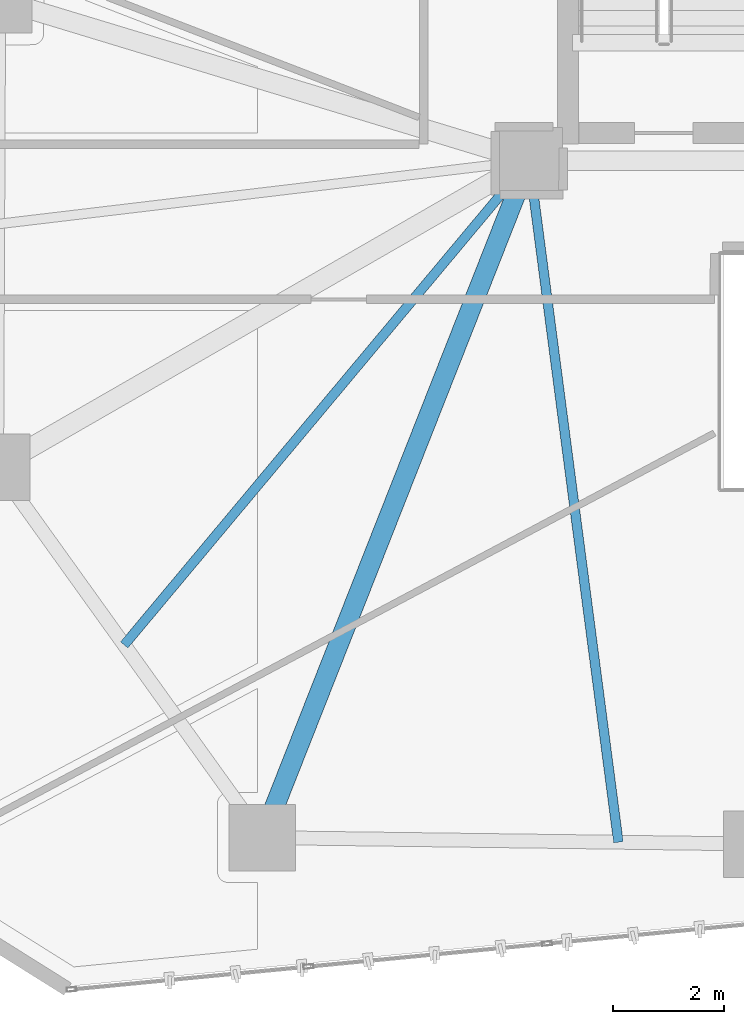
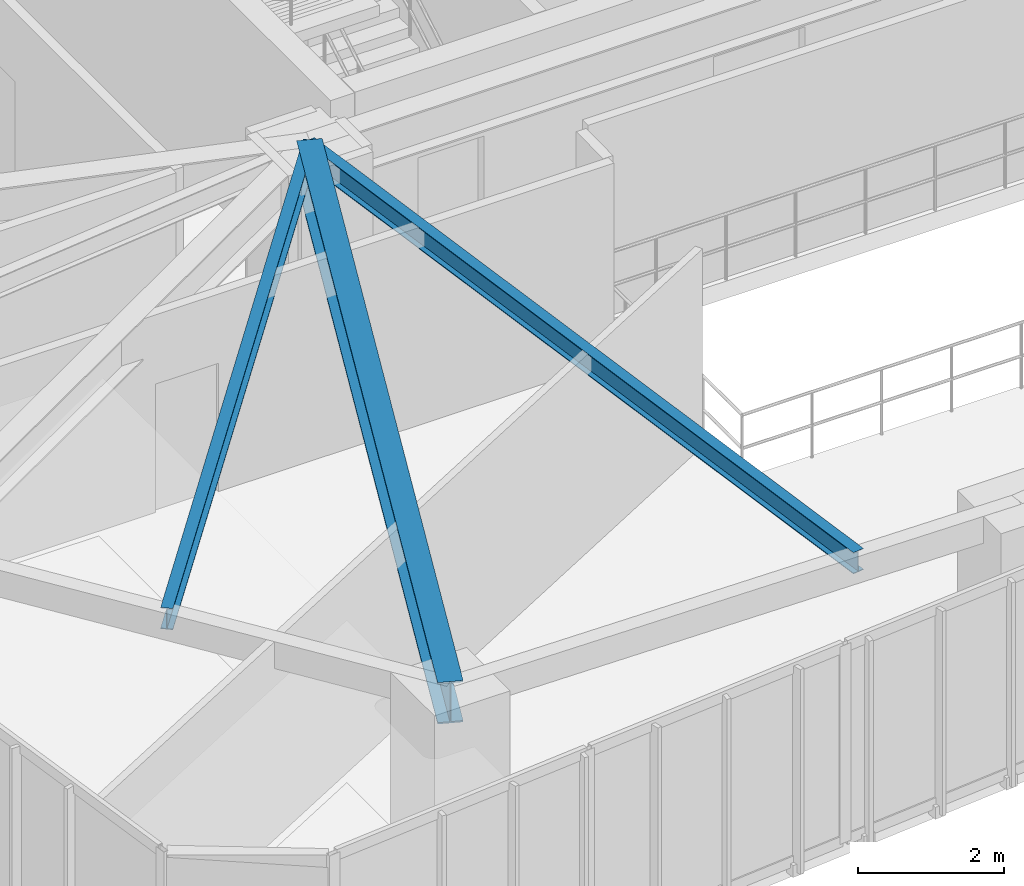
# One storey, part 5 of 22: 3 beams.
"""IFC4 building model written with IfcOpenShell, lengths in metres."""

from ifc_helpers import new_model, si_unit, direction, frame, origin, origin_2d, place, context, subcontext, project, spatial, i_section, extrude, material, material_profile, profile_set, type_object, element, save


model = new_model("IFC4")

# Units and contexts
model_context = context("Model", 3, precision=1e-05, world=origin(), true_north=direction((0.0, 1.0)))
body_context = subcontext(model_context, "Body", "Model", "MODEL_VIEW")
ifc_project = project(units=[si_unit("LENGTHUNIT", "METRE"), si_unit("AREAUNIT", "SQUARE_METRE"), si_unit("VOLUMEUNIT", "CUBIC_METRE"), si_unit("PLANEANGLEUNIT", "RADIAN"), si_unit("MASSUNIT", "GRAM", prefix="KILO")], contexts=[model_context])

# Site, building, storey
site_placement = place(None, origin())
site = spatial("IfcSite", under=ifc_project, at=site_placement, CompositionType="ELEMENT")
building_placement = place(site_placement, origin())
building = spatial("IfcBuilding", under=site, at=building_placement, Name="Talar Marvaseh", CompositionType="ELEMENT")
storey_placement = place(building_placement, frame((0.0, 0.0, 107.39990234375)))
storey = spatial("IfcBuildingStorey", under=building, at=storey_placement, Name="L27", CompositionType="ELEMENT", Elevation=107.39990234375)

# Beams
ifc_material = material(Name="Steel S355", Category="steel")
ifc_material_profile_1 = material_profile(ifc_material, i_section(OverallWidth=0.35498046875, OverallDepth=0.695068359375, WebThickness=0.015380859375, FlangeThickness=0.02490234375, at=origin_2d()), Name="W690x217")
ifc_profile_set_1 = profile_set([ifc_material_profile_1], Name="Steel S355")
beam_type_1 = type_object("IfcBeamType", Name="Zone 2 Radial Floor Girder W690x217", PredefinedType="BEAM", material=ifc_profile_set_1)
beam_1_placement = place(storey_placement, frame((13.89111328125, 13.299072265625, 2.962646484375), z_axis=(0.366683712786, 0.930345664136, 0.0), x_axis=(-0.930345664136, 0.366683712786, 0.0)))
element("IfcBeam", 1, at=beam_1_placement, inside=storey, type_object=beam_type_1, Name="L27 Zone 2 Radial Floor Girder W690x217", PredefinedType="BEAM", context=body_context, shape_type="SweptSolid", body=[
    extrude(i_section(OverallWidth=0.35498046875, OverallDepth=0.695068359375, WebThickness=0.015380859375, FlangeThickness=0.02490234375, at=origin_2d()), origin(), (0.0, 0.0, 1.0), 13.114501953125),
])
ifc_material_profile_2 = material_profile(ifc_material, i_section(OverallWidth=0.172119140625, OverallDepth=0.35791015625, WebThickness=0.0078125, FlangeThickness=0.01318359375, at=origin_2d()), Name="W360x57")
ifc_profile_set_2 = profile_set([ifc_material_profile_2], Name="Steel S355")
beam_type_2 = type_object("IfcBeamType", Name="Zone 2 Secondary Floor Joist W360x57", PredefinedType="JOIST", material=ifc_profile_set_2)
beam_2_placement = place(storey_placement, frame((20.30908203125, 13.215576171875, 3.131103515625), z_axis=(-0.129880008292, 0.991529718892, 0.0), x_axis=(-0.991529718892, -0.129880008292, 0.0)))
element("IfcBeam", 2, at=beam_2_placement, inside=storey, type_object=beam_type_2, Name="L27 Zone 2 Secondary Floor Joist W360x57", PredefinedType="JOIST", context=body_context, shape_type="SweptSolid", body=[
    extrude(i_section(OverallWidth=0.172119140625, OverallDepth=0.35791015625, WebThickness=0.0078125, FlangeThickness=0.01318359375, at=origin_2d()), origin(), (0.0, 0.0, 1.0), 12.389404296875),
])
beam_3_placement = place(storey_placement, frame((11.400146484375, 16.771484375, 3.131103515625), z_axis=(0.641534082313, 0.767094532135, 0.0), x_axis=(-0.767094532135, 0.641534082313, 0.0)))
element("IfcBeam", 3, at=beam_3_placement, inside=storey, type_object=beam_type_2, Name="L27 Zone 2 Secondary Floor Joist W360x57", PredefinedType="JOIST", context=body_context, shape_type="SweptSolid", body=[
    extrude(i_section(OverallWidth=0.172119140625, OverallDepth=0.35791015625, WebThickness=0.0078125, FlangeThickness=0.01318359375, at=origin_2d()), origin(), (0.0, 0.0, 1.0), 11.378662109375),
])

save(model, "model.ifc")
